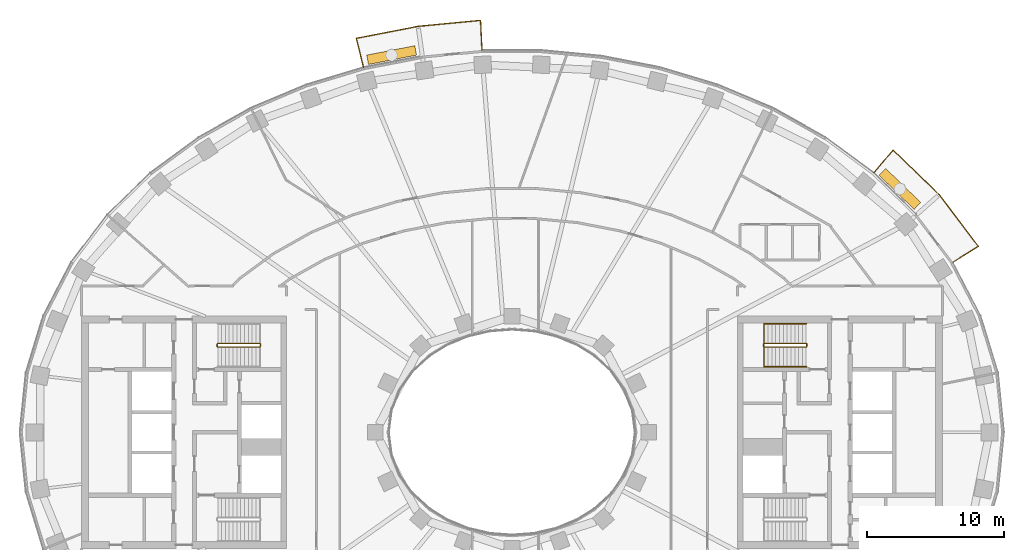
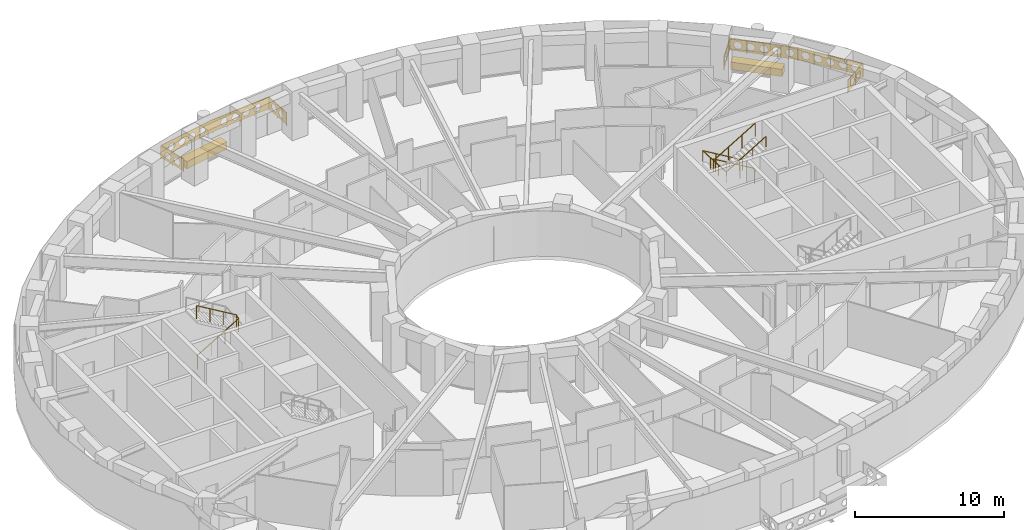
# One storey, part 16 of 17: 5 railings, 2 coverings.
"""IFC4 building model written with IfcOpenShell, lengths in metres."""

from ifc_helpers import new_model, si_unit, direction, frame, origin, origin_2d, place, context, subcontext, project, spatial, polyline, rectangle, outline, extrude, material, type_object, element, save


model = new_model("IFC4")

# Units and contexts
model_context = context("Model", 3, precision=1e-05, world=origin(), true_north=direction((0.0, 1.0)))
body_context = subcontext(model_context, "Body", "Model", "MODEL_VIEW")
ifc_project = project(units=[si_unit("LENGTHUNIT", "METRE"), si_unit("AREAUNIT", "SQUARE_METRE"), si_unit("VOLUMEUNIT", "CUBIC_METRE"), si_unit("PLANEANGLEUNIT", "RADIAN"), si_unit("MASSUNIT", "GRAM", prefix="KILO")], contexts=[model_context])

# Site, building, storey
site_placement = place(None, origin())
site = spatial("IfcSite", under=ifc_project, at=site_placement, CompositionType="ELEMENT")
building_placement = place(site_placement, origin())
building = spatial("IfcBuilding", under=site, at=building_placement, Name="Noorbagh Ring Tower", CompositionType="ELEMENT")
storey_placement = place(building_placement, frame((0.0, 0.0, 120.0)))
storey = spatial("IfcBuildingStorey", under=building, at=storey_placement, Name="L27", CompositionType="ELEMENT", Elevation=120.0)

# Railings
ifc_material_1 = material(Name="Stainless steel", Category="steel")
railing_type_1 = type_object("IfcRailingType", Name="CORE-STAIR-GUARD", PredefinedType="GUARDRAIL", material=ifc_material_1)
railing_1_placement = place(storey_placement, frame((-21.580078125, 6.300048828125, 0.0)))
element("IfcRailing", 1, at=railing_1_placement, inside=storey, type_object=railing_type_1, Name="L27 ST1 stair guard", PredefinedType="GUARDRAIL", context=body_context, shape_type="SweptSolid", body=[
    extrude(rectangle(XDim=0.048095703125, YDim=0.048095703125, at=origin_2d()), frame((0.0, 0.0, 1.076171875), z_axis=(0.0, 1.0, 0.0), x_axis=(-1.0, 0.0, 0.0)), (0.0, 0.0, 1.0), 0.14990234375),
    extrude(rectangle(XDim=0.048095703125, YDim=0.048095703125, at=origin_2d()), frame((0.0, 0.14990234375, 1.076171875), z_axis=(0.188775798145, -0.754182335027, 0.628945707965), x_axis=(0.970072785993, 0.242814311512, 0.0)), (0.0, 0.0, 1.0), 0.26513671875),
    extrude(rectangle(XDim=0.048095703125, YDim=0.048095703125, at=origin_2d()), frame((0.050048828125, -0.050048828125, 1.24267578125), z_axis=(0.859308565015, 0.0, 0.511457515432), x_axis=(0.0, 1.0, 0.0)), (0.0, 0.0, 1.0), 3.58447265625),
    extrude(rectangle(XDim=0.048095703125, YDim=0.048095703125, at=origin_2d()), frame((3.130126953125, -0.050048828125, 3.076171875), z_axis=(0.707106781187, 0.707106781187, 0.0), x_axis=(-0.707106781187, 0.707106781187, 0.0)), (0.0, 0.0, 1.0), 0.07080078125),
    extrude(rectangle(XDim=0.048095703125, YDim=0.048095703125, at=origin_2d()), frame((3.18017578125, 0.0, 3.076171875), z_axis=(0.0, 1.0, 0.0), x_axis=(-1.0, 0.0, 0.0)), (0.0, 0.0, 1.0), 0.14990234375),
    extrude(rectangle(XDim=0.048095703125, YDim=0.048095703125, at=origin_2d()), frame((3.18017578125, 0.14990234375, 3.076171875), z_axis=(-0.27628659633, 0.27628659633, 0.920506074601), x_axis=(-0.707106781187, -0.707106781187, 0.0)), (0.0, 0.0, 1.0), 0.18115234375),
    extrude(rectangle(XDim=0.048095703125, YDim=0.048095703125, at=origin_2d()), frame((3.130126953125, 0.199951171875, 3.24267578125), z_axis=(-0.859308565015, 0.0, 0.511457515432), x_axis=(0.0, -1.0, 0.0)), (0.0, 0.0, 1.0), 3.58447265625),
    extrude(rectangle(XDim=0.0419921875, YDim=0.0419921875, at=origin_2d()), origin(), (0.0, 0.0, 1.0), 1.052001953125),
    extrude(rectangle(XDim=0.0419921875, YDim=0.0419921875, at=origin_2d()), frame((1.07666015625, -0.050048828125, 0.77783203125)), (0.0, 0.0, 1.0), 1.052001953125),
    extrude(rectangle(XDim=0.0419921875, YDim=0.0419921875, at=origin_2d()), frame((2.103515625, -0.050048828125, 1.388916015625)), (0.0, 0.0, 1.0), 1.052001953125),
    extrude(rectangle(XDim=0.0419921875, YDim=0.0419921875, at=origin_2d()), frame((3.130126953125, -0.050048828125, 2.0)), (0.0, 0.0, 1.0), 1.052001953125),
    extrude(rectangle(XDim=0.0419921875, YDim=0.0419921875, at=origin_2d()), frame((3.130126953125, 0.199951171875, 2.166748046875)), (0.0, 0.0, 1.0), 1.052001953125),
    extrude(rectangle(XDim=0.0419921875, YDim=0.0419921875, at=origin_2d()), frame((2.103515625, 0.199951171875, 2.77783203125)), (0.0, 0.0, 1.0), 1.052001953125),
    extrude(rectangle(XDim=0.0419921875, YDim=0.0419921875, at=origin_2d()), frame((1.07666015625, 0.199951171875, 3.388916015625)), (0.0, 0.0, 1.0), 1.052001953125),
    extrude(rectangle(XDim=0.0419921875, YDim=0.0419921875, at=origin_2d()), frame((0.050048828125, 0.199951171875, 4.0)), (0.0, 0.0, 1.0), 1.052001953125),
])
railing_2_placement = place(storey_placement, frame((21.580078125, 6.449951171875, 0.0)))
element("IfcRailing", 2, at=railing_2_placement, inside=storey, type_object=railing_type_1, Name="L27 ST3 stair guard", PredefinedType="GUARDRAIL", context=body_context, shape_type="SweptSolid", body=[
    extrude(rectangle(XDim=0.048095703125, YDim=0.048095703125, at=origin_2d()), frame((0.0, 0.0, 1.076171875), z_axis=(0.0, -1.0, 0.0), x_axis=(1.0, 0.0, 0.0)), (0.0, 0.0, 1.0), 0.14990234375),
    extrude(rectangle(XDim=0.048095703125, YDim=0.048095703125, at=origin_2d()), frame((0.0, -0.14990234375, 1.076171875), z_axis=(-0.188775798145, 0.754182335027, 0.628945707965), x_axis=(-0.970072785993, -0.242814311512, 0.0)), (0.0, 0.0, 1.0), 0.26513671875),
    extrude(rectangle(XDim=0.048095703125, YDim=0.048095703125, at=origin_2d()), frame((-0.050048828125, 0.050048828125, 1.24267578125), z_axis=(-0.859308565015, 0.0, 0.511457515432), x_axis=(0.0, -1.0, 0.0)), (0.0, 0.0, 1.0), 3.58447265625),
    extrude(rectangle(XDim=0.048095703125, YDim=0.048095703125, at=origin_2d()), frame((-3.130126953125, 0.050048828125, 3.076171875), z_axis=(-0.707106781187, -0.707106781187, 0.0), x_axis=(0.707106781187, -0.707106781187, 0.0)), (0.0, 0.0, 1.0), 0.07080078125),
    extrude(rectangle(XDim=0.048095703125, YDim=0.048095703125, at=origin_2d()), frame((-3.18017578125, 0.0, 3.076171875), z_axis=(0.0, -1.0, 0.0), x_axis=(1.0, 0.0, 0.0)), (0.0, 0.0, 1.0), 0.14990234375),
    extrude(rectangle(XDim=0.048095703125, YDim=0.048095703125, at=origin_2d()), frame((-3.18017578125, -0.14990234375, 3.076171875), z_axis=(0.27628659633, -0.27628659633, 0.920506074601), x_axis=(0.707106781187, 0.707106781187, 0.0)), (0.0, 0.0, 1.0), 0.18115234375),
    extrude(rectangle(XDim=0.048095703125, YDim=0.048095703125, at=origin_2d()), frame((-3.130126953125, -0.199951171875, 3.24267578125), z_axis=(0.859308565015, 0.0, 0.511457515432), x_axis=(0.0, 1.0, 0.0)), (0.0, 0.0, 1.0), 3.58447265625),
    extrude(rectangle(XDim=0.0419921875, YDim=0.0419921875, at=origin_2d()), origin(), (0.0, 0.0, 1.0), 1.052001953125),
    extrude(rectangle(XDim=0.0419921875, YDim=0.0419921875, at=origin_2d()), frame((-1.07666015625, 0.050048828125, 0.77783203125)), (0.0, 0.0, 1.0), 1.052001953125),
    extrude(rectangle(XDim=0.0419921875, YDim=0.0419921875, at=origin_2d()), frame((-2.103515625, 0.050048828125, 1.388916015625)), (0.0, 0.0, 1.0), 1.052001953125),
    extrude(rectangle(XDim=0.0419921875, YDim=0.0419921875, at=origin_2d()), frame((-3.130126953125, 0.050048828125, 2.0)), (0.0, 0.0, 1.0), 1.052001953125),
    extrude(rectangle(XDim=0.0419921875, YDim=0.0419921875, at=origin_2d()), frame((-3.130126953125, -0.199951171875, 2.166748046875)), (0.0, 0.0, 1.0), 1.052001953125),
    extrude(rectangle(XDim=0.0419921875, YDim=0.0419921875, at=origin_2d()), frame((-2.103515625, -0.199951171875, 2.77783203125)), (0.0, 0.0, 1.0), 1.052001953125),
    extrude(rectangle(XDim=0.0419921875, YDim=0.0419921875, at=origin_2d()), frame((-1.07666015625, -0.199951171875, 3.388916015625)), (0.0, 0.0, 1.0), 1.052001953125),
    extrude(rectangle(XDim=0.0419921875, YDim=0.0419921875, at=origin_2d()), frame((-0.050048828125, -0.199951171875, 4.0)), (0.0, 0.0, 1.0), 1.052001953125),
])
ifc_material_2 = material(Name="Stainless steel", Category="steel")
railing_type_2 = type_object("IfcRailingType", Name="CORE-STAIR-HANDRAIL", PredefinedType="HANDRAIL", material=ifc_material_2)
railing_3_placement = place(storey_placement, frame((21.530029296875, 7.949951171875, 0.166748046875)))
element("IfcRailing", 3, at=railing_3_placement, inside=storey, type_object=railing_type_2, Name="L27 ST3 stair handrail", PredefinedType="HANDRAIL", context=body_context, shape_type="SweptSolid", body=[
    extrude(rectangle(XDim=0.048095703125, YDim=0.048095703125, at=origin_2d()), frame((0.0, 0.0, 0.8759765625), z_axis=(-0.859308565015, 0.0, 0.511457515432), x_axis=(0.0, -1.0, 0.0)), (0.0, 0.0, 1.0), 3.58447265625),
    extrude(rectangle(XDim=0.048095703125, YDim=0.048095703125, at=origin_2d()), frame((-3.080078125, 0.0, 2.708984375), z_axis=(0.0, -0.998601747152, 0.052863509014), x_axis=(1.0, 0.0, 0.0)), (0.0, 0.0, 1.0), 3.154296875),
    extrude(rectangle(XDim=0.048095703125, YDim=0.048095703125, at=origin_2d()), frame((-3.080078125, -3.14990234375, 2.8759765625), z_axis=(0.859308565015, 0.0, 0.511457515432), x_axis=(0.0, 1.0, 0.0)), (0.0, 0.0, 1.0), 3.58447265625),
    extrude(rectangle(XDim=0.0419921875, YDim=0.0419921875, at=origin_2d()), origin(), (0.0, 0.0, 1.0), 0.851806640625),
    extrude(rectangle(XDim=0.0419921875, YDim=0.0419921875, at=origin_2d()), frame((-1.026611328125, 0.0, 0.611083984375)), (0.0, 0.0, 1.0), 0.851806640625),
    extrude(rectangle(XDim=0.0419921875, YDim=0.0419921875, at=origin_2d()), frame((-2.053466796875, 0.0, 1.22216796875)), (0.0, 0.0, 1.0), 0.851806640625),
    extrude(rectangle(XDim=0.0419921875, YDim=0.0419921875, at=origin_2d()), frame((-3.080078125, 0.0, 1.833251953125)), (0.0, 0.0, 1.0), 0.851806640625),
    extrude(rectangle(XDim=0.0419921875, YDim=0.0419921875, at=origin_2d()), frame((-3.080078125, -1.050048828125, 1.888916015625)), (0.0, 0.0, 1.0), 0.851806640625),
    extrude(rectangle(XDim=0.0419921875, YDim=0.0419921875, at=origin_2d()), frame((-3.080078125, -2.099853515625, 1.9443359375)), (0.0, 0.0, 1.0), 0.851806640625),
    extrude(rectangle(XDim=0.0419921875, YDim=0.0419921875, at=origin_2d()), frame((-3.080078125, -3.14990234375, 2.0)), (0.0, 0.0, 1.0), 0.851806640625),
    extrude(rectangle(XDim=0.0419921875, YDim=0.0419921875, at=origin_2d()), frame((-2.053466796875, -3.14990234375, 2.611083984375)), (0.0, 0.0, 1.0), 0.851806640625),
    extrude(rectangle(XDim=0.0419921875, YDim=0.0419921875, at=origin_2d()), frame((-1.026611328125, -3.14990234375, 3.22216796875)), (0.0, 0.0, 1.0), 0.851806640625),
    extrude(rectangle(XDim=0.0419921875, YDim=0.0419921875, at=origin_2d()), frame((0.0, -3.14990234375, 3.833251953125)), (0.0, 0.0, 1.0), 0.851806640625),
])
ifc_material_3 = material(Name="Steel S275 black powder-coated", Category="steel")
railing_type_3 = type_object("IfcRailingType", Name="ENV-GUARD", PredefinedType="GUARDRAIL", material=ifc_material_3)
railing_4_placement = place(storey_placement, frame((32.255126953125, 12.434814453125, 0.0)))
element("IfcRailing", 4, at=railing_4_placement, inside=storey, type_object=railing_type_3, Name="Balcony guard BN01", PredefinedType="GUARDRAIL", context=body_context, shape_type="SweptSolid", body=[
    extrude(rectangle(XDim=0.048095703125, YDim=0.048095703125, at=origin_2d()), frame((0.0, 0.0, 1.076171875), z_axis=(0.844852397829, 0.534999463442, 0.0), x_axis=(-0.534999463442, 0.844852397829, 0.0)), (0.0, 0.0, 1.0), 2.207763671875),
    extrude(rectangle(XDim=0.048095703125, YDim=0.048095703125, at=origin_2d()), frame((1.865234375, 1.18115234375, 1.076171875), z_axis=(-0.604001613322, 0.796983093362, 0.0), x_axis=(-0.796983093362, -0.604001613322, 0.0)), (0.0, 0.0, 1.0), 4.7353515625),
    extrude(rectangle(XDim=0.048095703125, YDim=0.048095703125, at=origin_2d()), frame((-0.994873046875, 4.955078125, 1.076171875), z_axis=(-0.717212632946, 0.696854388766, 0.0), x_axis=(-0.696854388766, -0.717212632946, 0.0)), (0.0, 0.0, 1.0), 4.700927734375),
    extrude(rectangle(XDim=0.048095703125, YDim=0.048095703125, at=origin_2d()), frame((-4.366455078125, 8.23095703125, 1.076171875), z_axis=(-0.646413574048, -0.762987215677, 0.0), x_axis=(0.762987215677, -0.646413574048, 0.0)), (0.0, 0.0, 1.0), 2.205322265625),
    extrude(rectangle(XDim=0.0419921875, YDim=0.0419921875, at=origin_2d()), origin(), (0.0, 0.0, 1.0), 1.052001953125),
    extrude(rectangle(XDim=0.0419921875, YDim=0.0419921875, at=origin_2d()), frame((0.9326171875, 0.590576171875, 0.0)), (0.0, 0.0, 1.0), 1.052001953125),
    extrude(rectangle(XDim=0.0419921875, YDim=0.0419921875, at=origin_2d()), frame((1.865234375, 1.18115234375, 0.0)), (0.0, 0.0, 1.0), 1.052001953125),
    extrude(rectangle(XDim=0.0419921875, YDim=0.0419921875, at=origin_2d()), frame((1.150146484375, 2.12451171875, 0.0)), (0.0, 0.0, 1.0), 1.052001953125),
    extrude(rectangle(XDim=0.0419921875, YDim=0.0419921875, at=origin_2d()), frame((0.43505859375, 3.068115234375, 0.0)), (0.0, 0.0, 1.0), 1.052001953125),
    extrude(rectangle(XDim=0.0419921875, YDim=0.0419921875, at=origin_2d()), frame((-0.27978515625, 4.01171875, 0.0)), (0.0, 0.0, 1.0), 1.052001953125),
    extrude(rectangle(XDim=0.0419921875, YDim=0.0419921875, at=origin_2d()), frame((-0.994873046875, 4.955078125, 0.0)), (0.0, 0.0, 1.0), 1.052001953125),
    extrude(rectangle(XDim=0.0419921875, YDim=0.0419921875, at=origin_2d()), frame((-1.837890625, 5.77392578125, 0.0)), (0.0, 0.0, 1.0), 1.052001953125),
    extrude(rectangle(XDim=0.0419921875, YDim=0.0419921875, at=origin_2d()), frame((-2.6806640625, 6.593017578125, 0.0)), (0.0, 0.0, 1.0), 1.052001953125),
    extrude(rectangle(XDim=0.0419921875, YDim=0.0419921875, at=origin_2d()), frame((-3.5234375, 7.412109375, 0.0)), (0.0, 0.0, 1.0), 1.052001953125),
    extrude(rectangle(XDim=0.0419921875, YDim=0.0419921875, at=origin_2d()), frame((-4.366455078125, 8.23095703125, 0.0)), (0.0, 0.0, 1.0), 1.052001953125),
    extrude(rectangle(XDim=0.0419921875, YDim=0.0419921875, at=origin_2d()), frame((-5.0791015625, 7.3896484375, 0.0)), (0.0, 0.0, 1.0), 1.052001953125),
    extrude(rectangle(XDim=0.0419921875, YDim=0.0419921875, at=origin_2d()), frame((-5.7919921875, 6.54833984375, 0.0)), (0.0, 0.0, 1.0), 1.052001953125),
    extrude(outline(polyline([(0.0, 0.10009765625), (2.207763671875, 0.10009765625), (2.207763671875, 1.031982421875), (0.0, 1.031982421875), (0.0, 0.10009765625)]), holes=[polyline([(0.9638671875, 0.56591796875), (0.808837890625, 0.83447265625), (0.498779296875, 0.83447265625), (0.343994140625, 0.56591796875), (0.498779296875, 0.297607421875), (0.808837890625, 0.297607421875), (0.9638671875, 0.56591796875)]), polyline([(1.86376953125, 0.56591796875), (1.708984375, 0.83447265625), (1.39892578125, 0.83447265625), (1.243896484375, 0.56591796875), (1.39892578125, 0.297607421875), (1.708984375, 0.297607421875), (1.86376953125, 0.56591796875)])]), frame((-0.00537109375, 0.008544921875, 0.0), z_axis=(0.534999463442, -0.844852397829, 0.0), x_axis=(0.844852397829, 0.534999463442, 0.0)), (0.0, 0.0, 1.0), 0.02001953125),
    extrude(outline(polyline([(0.0, 0.10009765625), (4.7353515625, 0.10009765625), (4.7353515625, 1.031982421875), (0.0, 1.031982421875), (0.0, 0.10009765625)]), holes=[polyline([(0.877685546875, 0.56591796875), (0.72265625, 0.83447265625), (0.41259765625, 0.83447265625), (0.257568359375, 0.56591796875), (0.41259765625, 0.297607421875), (0.72265625, 0.297607421875), (0.877685546875, 0.56591796875)]), polyline([(1.777587890625, 0.56591796875), (1.62255859375, 0.83447265625), (1.312744140625, 0.83447265625), (1.15771484375, 0.56591796875), (1.312744140625, 0.297607421875), (1.62255859375, 0.297607421875), (1.777587890625, 0.56591796875)]), polyline([(2.677734375, 0.56591796875), (2.522705078125, 0.83447265625), (2.212646484375, 0.83447265625), (2.0576171875, 0.56591796875), (2.212646484375, 0.297607421875), (2.522705078125, 0.297607421875), (2.677734375, 0.56591796875)]), polyline([(3.57763671875, 0.56591796875), (3.422607421875, 0.83447265625), (3.112548828125, 0.83447265625), (2.95751953125, 0.56591796875), (3.112548828125, 0.297607421875), (3.422607421875, 0.297607421875), (3.57763671875, 0.56591796875)]), polyline([(4.4775390625, 0.56591796875), (4.32275390625, 0.83447265625), (4.0126953125, 0.83447265625), (3.857666015625, 0.56591796875), (4.0126953125, 0.297607421875), (4.32275390625, 0.297607421875), (4.4775390625, 0.56591796875)])]), frame((1.857177734375, 1.175048828125, 0.0), z_axis=(0.796983093362, 0.604001613322, 0.0), x_axis=(-0.604001613322, 0.796983093362, 0.0)), (0.0, 0.0, 1.0), 0.02001953125),
    extrude(outline(polyline([(0.0, 0.10009765625), (4.700927734375, 0.10009765625), (4.700927734375, 1.031982421875), (0.0, 1.031982421875), (0.0, 0.10009765625)]), holes=[polyline([(0.860595703125, 0.56591796875), (0.70556640625, 0.83447265625), (0.3955078125, 0.83447265625), (0.240478515625, 0.56591796875), (0.3955078125, 0.297607421875), (0.70556640625, 0.297607421875), (0.860595703125, 0.56591796875)]), polyline([(1.760498046875, 0.56591796875), (1.60546875, 0.83447265625), (1.29541015625, 0.83447265625), (1.140380859375, 0.56591796875), (1.29541015625, 0.297607421875), (1.60546875, 0.297607421875), (1.760498046875, 0.56591796875)]), polyline([(2.660400390625, 0.56591796875), (2.50537109375, 0.83447265625), (2.195556640625, 0.83447265625), (2.04052734375, 0.56591796875), (2.195556640625, 0.297607421875), (2.50537109375, 0.297607421875), (2.660400390625, 0.56591796875)]), polyline([(3.560546875, 0.56591796875), (3.405517578125, 0.83447265625), (3.095458984375, 0.83447265625), (2.9404296875, 0.56591796875), (3.095458984375, 0.297607421875), (3.405517578125, 0.297607421875), (3.560546875, 0.56591796875)]), polyline([(4.46044921875, 0.56591796875), (4.305419921875, 0.83447265625), (3.995361328125, 0.83447265625), (3.840576171875, 0.56591796875), (3.995361328125, 0.297607421875), (4.305419921875, 0.297607421875), (4.46044921875, 0.56591796875)])]), frame((-1.001953125, 4.947998046875, 0.0), z_axis=(0.696854388766, 0.717212632946, 0.0), x_axis=(-0.717212632946, 0.696854388766, 0.0)), (0.0, 0.0, 1.0), 0.02001953125),
    extrude(outline(polyline([(0.0, 0.10009765625), (2.205322265625, 0.10009765625), (2.205322265625, 1.031982421875), (0.0, 1.031982421875), (0.0, 0.10009765625)]), holes=[polyline([(0.962646484375, 0.56591796875), (0.8076171875, 0.83447265625), (0.49755859375, 0.83447265625), (0.342529296875, 0.56591796875), (0.49755859375, 0.297607421875), (0.8076171875, 0.297607421875), (0.962646484375, 0.56591796875)]), polyline([(1.862548828125, 0.56591796875), (1.707763671875, 0.83447265625), (1.397705078125, 0.83447265625), (1.24267578125, 0.56591796875), (1.397705078125, 0.297607421875), (1.707763671875, 0.297607421875), (1.862548828125, 0.56591796875)])]), frame((-4.35888671875, 8.224609375, 0.0), z_axis=(-0.762987215677, 0.646413574048, 0.0), x_axis=(-0.646413574048, -0.762987215677, 0.0)), (0.0, 0.0, 1.0), 0.02001953125),
])
railing_5_placement = place(storey_placement, frame((-2.193115234375, 27.947998046875, 0.0)))
element("IfcRailing", 5, at=railing_5_placement, inside=storey, type_object=railing_type_3, Name="Balcony guard BN04", PredefinedType="GUARDRAIL", context=body_context, shape_type="SweptSolid", body=[
    extrude(rectangle(XDim=0.048095703125, YDim=0.048095703125, at=origin_2d()), frame((0.0, 0.0, 1.076171875), z_axis=(-0.047554616162, 0.998868639252, 0.0), x_axis=(-0.998868639252, -0.047554616162, 0.0)), (0.0, 0.0, 1.0), 2.202392578125),
    extrude(rectangle(XDim=0.048095703125, YDim=0.048095703125, at=origin_2d()), frame((-0.104736328125, 2.199951171875, 1.076171875), z_axis=(-0.995477555764, -0.094997031379, 0.0), x_axis=(0.094997031379, -0.995477555764, 0.0)), (0.0, 0.0, 1.0), 4.59765625),
    extrude(rectangle(XDim=0.048095703125, YDim=0.048095703125, at=origin_2d()), frame((-4.681640625, 1.76318359375, 1.076171875), z_axis=(-0.981625049064, -0.1908199755, 0.0), x_axis=(0.1908199755, -0.981625049064, 0.0)), (0.0, 0.0, 1.0), 4.603271484375),
    extrude(rectangle(XDim=0.048095703125, YDim=0.048095703125, at=origin_2d()), frame((-9.200439453125, 0.884765625, 1.076171875), z_axis=(0.239848558412, -0.970810315679, 0.0), x_axis=(0.970810315679, 0.239848558412, 0.0)), (0.0, 0.0, 1.0), 2.20263671875),
    extrude(rectangle(XDim=0.0419921875, YDim=0.0419921875, at=origin_2d()), origin(), (0.0, 0.0, 1.0), 1.052001953125),
    extrude(rectangle(XDim=0.0419921875, YDim=0.0419921875, at=origin_2d()), frame((-0.05224609375, 1.10009765625, 0.0)), (0.0, 0.0, 1.0), 1.052001953125),
    extrude(rectangle(XDim=0.0419921875, YDim=0.0419921875, at=origin_2d()), frame((-0.104736328125, 2.199951171875, 0.0)), (0.0, 0.0, 1.0), 1.052001953125),
    extrude(rectangle(XDim=0.0419921875, YDim=0.0419921875, at=origin_2d()), frame((-1.2490234375, 2.0908203125, 0.0)), (0.0, 0.0, 1.0), 1.052001953125),
    extrude(rectangle(XDim=0.0419921875, YDim=0.0419921875, at=origin_2d()), frame((-2.39306640625, 1.9814453125, 0.0)), (0.0, 0.0, 1.0), 1.052001953125),
    extrude(rectangle(XDim=0.0419921875, YDim=0.0419921875, at=origin_2d()), frame((-3.537353515625, 1.872314453125, 0.0)), (0.0, 0.0, 1.0), 1.052001953125),
    extrude(rectangle(XDim=0.0419921875, YDim=0.0419921875, at=origin_2d()), frame((-4.681640625, 1.76318359375, 0.0)), (0.0, 0.0, 1.0), 1.052001953125),
    extrude(rectangle(XDim=0.0419921875, YDim=0.0419921875, at=origin_2d()), frame((-5.811279296875, 1.54345703125, 0.0)), (0.0, 0.0, 1.0), 1.052001953125),
    extrude(rectangle(XDim=0.0419921875, YDim=0.0419921875, at=origin_2d()), frame((-6.94091796875, 1.323974609375, 0.0)), (0.0, 0.0, 1.0), 1.052001953125),
    extrude(rectangle(XDim=0.0419921875, YDim=0.0419921875, at=origin_2d()), frame((-8.07080078125, 1.1044921875, 0.0)), (0.0, 0.0, 1.0), 1.052001953125),
    extrude(rectangle(XDim=0.0419921875, YDim=0.0419921875, at=origin_2d()), frame((-9.200439453125, 0.884765625, 0.0)), (0.0, 0.0, 1.0), 1.052001953125),
    extrude(rectangle(XDim=0.0419921875, YDim=0.0419921875, at=origin_2d()), frame((-8.936279296875, -0.1845703125, 0.0)), (0.0, 0.0, 1.0), 1.052001953125),
    extrude(rectangle(XDim=0.0419921875, YDim=0.0419921875, at=origin_2d()), frame((-8.672119140625, -1.253662109375, 0.0)), (0.0, 0.0, 1.0), 1.052001953125),
    extrude(outline(polyline([(0.0, 0.10009765625), (2.202392578125, 0.10009765625), (2.202392578125, 1.031982421875), (0.0, 1.031982421875), (0.0, 0.10009765625)]), holes=[polyline([(0.961181640625, 0.56591796875), (0.80615234375, 0.83447265625), (0.496337890625, 0.83447265625), (0.34130859375, 0.56591796875), (0.496337890625, 0.297607421875), (0.80615234375, 0.297607421875), (0.961181640625, 0.56591796875)]), polyline([(1.861328125, 0.56591796875), (1.706298828125, 0.83447265625), (1.396240234375, 0.83447265625), (1.2412109375, 0.56591796875), (1.396240234375, 0.297607421875), (1.706298828125, 0.297607421875), (1.861328125, 0.56591796875)])]), frame((-0.010009765625, -0.00048828125, 0.0), z_axis=(0.998868639252, 0.047554616162, 0.0), x_axis=(-0.047554616162, 0.998868639252, 0.0)), (0.0, 0.0, 1.0), 0.02001953125),
    extrude(outline(polyline([(0.0, 0.10009765625), (4.59765625, 0.10009765625), (4.59765625, 1.031982421875), (0.0, 1.031982421875), (0.0, 0.10009765625)]), holes=[polyline([(1.2587890625, 0.56591796875), (1.103759765625, 0.83447265625), (0.7939453125, 0.83447265625), (0.638916015625, 0.56591796875), (0.7939453125, 0.297607421875), (1.103759765625, 0.297607421875), (1.2587890625, 0.56591796875)]), polyline([(2.158935546875, 0.56591796875), (2.00390625, 0.83447265625), (1.69384765625, 0.83447265625), (1.538818359375, 0.56591796875), (1.69384765625, 0.297607421875), (2.00390625, 0.297607421875), (2.158935546875, 0.56591796875)]), polyline([(3.058837890625, 0.56591796875), (2.90380859375, 0.83447265625), (2.59375, 0.83447265625), (2.43896484375, 0.56591796875), (2.59375, 0.297607421875), (2.90380859375, 0.297607421875), (3.058837890625, 0.56591796875)]), polyline([(3.958740234375, 0.56591796875), (3.803955078125, 0.83447265625), (3.493896484375, 0.83447265625), (3.3388671875, 0.56591796875), (3.493896484375, 0.297607421875), (3.803955078125, 0.297607421875), (3.958740234375, 0.56591796875)])]), frame((-0.103759765625, 2.18994140625, 0.0), z_axis=(-0.094997031379, 0.995477555764, 0.0), x_axis=(-0.995477555764, -0.094997031379, 0.0)), (0.0, 0.0, 1.0), 0.02001953125),
    extrude(outline(polyline([(0.0, 0.10009765625), (4.603271484375, 0.10009765625), (4.603271484375, 1.031982421875), (0.0, 1.031982421875), (0.0, 0.10009765625)]), holes=[polyline([(1.26171875, 0.56591796875), (1.106689453125, 0.83447265625), (0.796630859375, 0.83447265625), (0.6416015625, 0.56591796875), (0.796630859375, 0.297607421875), (1.106689453125, 0.297607421875), (1.26171875, 0.56591796875)]), polyline([(2.16162109375, 0.56591796875), (2.006591796875, 0.83447265625), (1.69677734375, 0.83447265625), (1.541748046875, 0.56591796875), (1.69677734375, 0.297607421875), (2.006591796875, 0.297607421875), (2.16162109375, 0.56591796875)]), polyline([(3.061767578125, 0.56591796875), (2.90673828125, 0.83447265625), (2.5966796875, 0.83447265625), (2.441650390625, 0.56591796875), (2.5966796875, 0.297607421875), (2.90673828125, 0.297607421875), (3.061767578125, 0.56591796875)]), polyline([(3.961669921875, 0.56591796875), (3.806640625, 0.83447265625), (3.49658203125, 0.83447265625), (3.341796875, 0.56591796875), (3.49658203125, 0.297607421875), (3.806640625, 0.297607421875), (3.961669921875, 0.56591796875)])]), frame((-4.6796875, 1.75341796875, 0.0), z_axis=(-0.1908199755, 0.981625049064, 0.0), x_axis=(-0.981625049064, -0.1908199755, 0.0)), (0.0, 0.0, 1.0), 0.02001953125),
    extrude(outline(polyline([(0.0, 0.10009765625), (2.20263671875, 0.10009765625), (2.20263671875, 1.031982421875), (0.0, 1.031982421875), (0.0, 0.10009765625)]), holes=[polyline([(0.96142578125, 0.56591796875), (0.806396484375, 0.83447265625), (0.496337890625, 0.83447265625), (0.34130859375, 0.56591796875), (0.496337890625, 0.297607421875), (0.806396484375, 0.297607421875), (0.96142578125, 0.56591796875)]), polyline([(1.861328125, 0.56591796875), (1.706298828125, 0.83447265625), (1.396240234375, 0.83447265625), (1.241455078125, 0.56591796875), (1.396240234375, 0.297607421875), (1.706298828125, 0.297607421875), (1.861328125, 0.56591796875)])]), frame((-9.190673828125, 0.88720703125, 0.0), z_axis=(-0.970810315679, -0.239848558412, 0.0), x_axis=(0.239848558412, -0.970810315679, 0.0)), (0.0, 0.0, 1.0), 0.02001953125),
])

# Coverings
ifc_material_4 = material(Name="Concrete C30/37 planter with soil", Category="concrete")
covering_type = type_object("IfcCoveringType", Name="ENV-PLANTER", PredefinedType="CLADDING", material=ifc_material_4)
covering_1_placement = place(storey_placement, frame((28.3837890625, 17.814208984375, 0.0), z_axis=(0.0, 0.0, 1.0), x_axis=(-0.717224548362, 0.696842125038, 0.0)))
element("IfcCovering", 6, at=covering_1_placement, inside=storey, type_object=covering_type, Name="PLANTER BN01", ObjectType="PLANTER", PredefinedType="CLADDING", context=body_context, shape_type="SweptSolid", body=[
    extrude(rectangle(XDim=3.584228515625, YDim=0.699951171875, at=origin_2d()), origin(), (0.0, 0.0, 1.0), 0.60009765625),
])
covering_2_placement = place(storey_placement, frame((-8.807861328125, 27.603515625, 0.0), z_axis=(0.0, 0.0, 1.0), x_axis=(-0.981624952922, -0.190820470077, 0.0)))
element("IfcCovering", 7, at=covering_2_placement, inside=storey, type_object=covering_type, Name="PLANTER BN04", ObjectType="PLANTER", PredefinedType="CLADDING", context=body_context, shape_type="SweptSolid", body=[
    extrude(rectangle(XDim=3.586181640625, YDim=0.699951171875, at=origin_2d()), origin(), (0.0, 0.0, 1.0), 0.60009765625),
])

save(model, "model.ifc")
